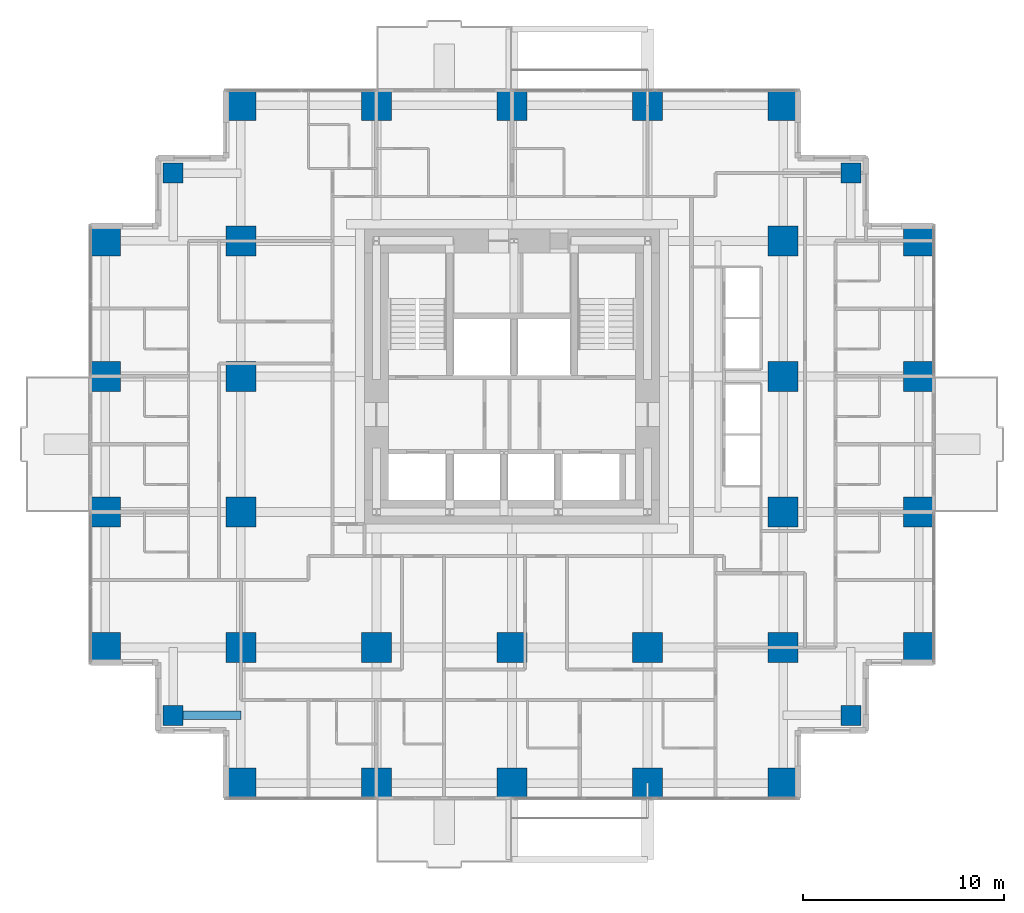
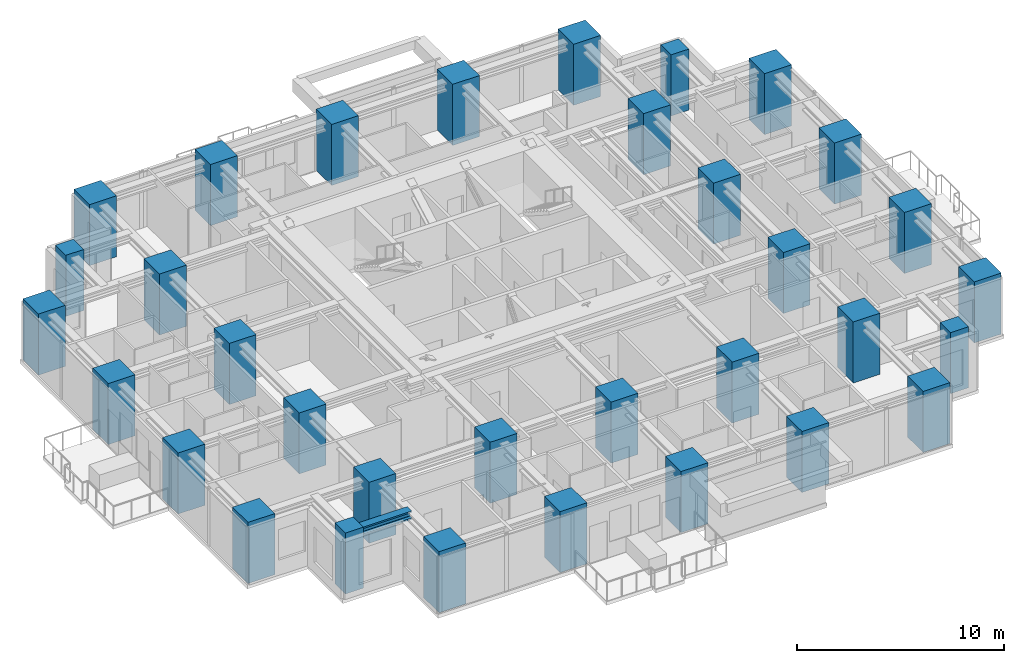
# One storey, part 1 of 13: 33 columns, 1 beam.
"""IFC4 building model written with IfcOpenShell, lengths in metres."""

import ifcopenshell
import ifcopenshell.guid

model = None  # the IFC model being written
_history = None  # IfcOwnerHistory: only IFC2X3 demands one
_inside = {}  # id of a spatial element -> (the spatial element, [elements in it])
_under = {}  # id of a project, library or spatial element -> (it, [spatial elements below it])
_declared = {}  # id of a project -> (the project, [libraries it declares])
_typed = {}  # id of a type object -> (the type object, [elements of that type])
_made_of = {}  # id of a material, layer set ... -> (it, [elements and type objects made of it])


def new_model(schema):
    """Start an empty IFC model of exactly this schema.

    Asked for "IFC4X3", IfcOpenShell would pick the latest addendum, in which some entities
    have other attributes; the version numbers below select the first issue.
    IFC2X3 requires an IfcOwnerHistory on every rooted entity: one is made here for all.
    """
    global model, _history
    if schema == "IFC4X3":
        model = ifcopenshell.file(schema_version=(4, 3, 0, 0))
    else:
        model = ifcopenshell.file(schema=schema)
    _inside.clear()
    _under.clear()
    _declared.clear()
    _typed.clear()
    _made_of.clear()
    _history = None
    if model.schema == "IFC2X3":
        org = make("IfcOrganization", Name="unknown")
        user = make(
            "IfcPersonAndOrganization",
            ThePerson=make("IfcPerson", FamilyName="unknown"),
            TheOrganization=org,
        )
        app = make(
            "IfcApplication",
            ApplicationDeveloper=org,
            Version="unknown",
            ApplicationFullName="unknown",
            ApplicationIdentifier="unknown",
        )
        _history = make(
            "IfcOwnerHistory",
            OwningUser=user,
            OwningApplication=app,
            ChangeAction="ADDED",
            CreationDate=0,
        )
    return model


def make(cls, **values):
    """One entity of the class cls with the attributes given. An attribute that is None is left unset."""
    return model.create_entity(
        cls, **{name: value for name, value in values.items() if value is not None}
    )


def rooted(cls, **values):
    """An entity with a GlobalId (a new one), such as an element, a storey or a relation."""
    return make(cls, GlobalId=ifcopenshell.guid.new(), OwnerHistory=_history, **values)


def si_unit(unit_type, name, prefix=None):
    """IfcSIUnit, for example si_unit("LENGTHUNIT", "METRE", prefix="MILLI")."""
    return make("IfcSIUnit", UnitType=unit_type, Prefix=prefix, Name=name)


def assignment(units):
    """IfcUnitAssignment: the units of a project."""
    return None if units is None else make("IfcUnitAssignment", Units=units)


def point(xyz):
    """IfcCartesianPoint."""
    return None if xyz is None else make("IfcCartesianPoint", Coordinates=xyz)


def direction(xyz):
    """IfcDirection."""
    return None if xyz is None else make("IfcDirection", DirectionRatios=xyz)


def frame(location, z_axis=None, x_axis=None):
    """IfcAxis2Placement3D, a coordinate frame: its origin and axes. An axis left out is left unset."""
    return make(
        "IfcAxis2Placement3D",
        Location=point(location),
        Axis=direction(z_axis),
        RefDirection=direction(x_axis),
    )


def frame_2d(location, x_axis=None):
    """IfcAxis2Placement2D, a coordinate frame in the plane: its origin and x axis."""
    return make(
        "IfcAxis2Placement2D", Location=point(location), RefDirection=direction(x_axis)
    )


def origin():
    """The frame at (0, 0, 0) with its axes left unset."""
    return frame((0.0, 0.0, 0.0))


def origin_2d():
    """The frame at (0, 0) in the plane with its x axis left unset."""
    return frame_2d((0.0, 0.0))


def place(relative_to, where):
    """IfcLocalPlacement: puts the frame where relative to a parent placement (None: the world)."""
    return make(
        "IfcLocalPlacement", PlacementRelTo=relative_to, RelativePlacement=where
    )


def context(
    kind, dimensions, precision=None, world=None, true_north=None, identifier=None
):
    """IfcGeometricRepresentationContext, for example the 3D "Model" context."""
    return make(
        "IfcGeometricRepresentationContext",
        ContextIdentifier=identifier,
        ContextType=kind,
        CoordinateSpaceDimension=dimensions,
        Precision=precision,
        WorldCoordinateSystem=world,
        TrueNorth=true_north,
    )


def subcontext(parent, identifier, kind, view, scale=None):
    """IfcGeometricRepresentationSubContext, for example "Body" below "Model"."""
    return make(
        "IfcGeometricRepresentationSubContext",
        ContextIdentifier=identifier,
        ContextType=kind,
        ParentContext=parent,
        TargetScale=scale,
        TargetView=view,
    )


def project(units=None, contexts=None):
    """IfcProject with its units and contexts."""
    return rooted(
        "IfcProject",
        Name="project",
        RepresentationContexts=contexts,
        UnitsInContext=assignment(units),
    )


def spatial(cls, under=None, at=None, **own):
    """A site, building, storey or space (cls), placed at a placement, below another one or the project."""
    s = rooted(cls, ObjectPlacement=at, **own)
    if under is not None:
        _under.setdefault(under.id(), (under, []))[1].append(s)
    return s


def profile(cls, at=None, kind="AREA", **sizes):
    """A parametric profile (cls). Its sizes go by their IFC names, for example OverallWidth=200.0."""
    return make(cls, ProfileType=kind, Position=at, **sizes)


def rectangle(**sizes):
    """IfcRectangleProfileDef."""
    return profile("IfcRectangleProfileDef", **sizes)


def i_section(**sizes):
    """IfcIShapeProfileDef."""
    return profile("IfcIShapeProfileDef", **sizes)


def extrude(swept, where, along, depth):
    """IfcExtrudedAreaSolid: the profile swept, set in the frame where, extruded along a direction by depth."""
    return make(
        "IfcExtrudedAreaSolid",
        SweptArea=swept,
        Position=where,
        ExtrudedDirection=direction(along),
        Depth=depth,
    )


def shape(context_of_items, identifier, shape_type, items):
    """IfcShapeRepresentation: the items that make up one representation, for example the "Body"."""
    return make(
        "IfcShapeRepresentation",
        ContextOfItems=context_of_items,
        RepresentationIdentifier=identifier,
        RepresentationType=shape_type,
        Items=items,
    )


def material(Name=None, Category=None):
    """IfcMaterial."""
    return make("IfcMaterial", Name=Name, Category=Category)


def material_profile(
    of_material, cross_section, Name=None, Category=None, Priority=None
):
    """IfcMaterialProfile: a cross section and its material."""
    return make(
        "IfcMaterialProfile",
        Name=Name,
        Material=of_material,
        Profile=cross_section,
        Priority=Priority,
        Category=Category,
    )


def profile_set(profiles, Name=None, composite=None):
    """IfcMaterialProfileSet."""
    return make(
        "IfcMaterialProfileSet",
        Name=Name,
        MaterialProfiles=profiles,
        CompositeProfile=composite,
    )


def made_of(thing, what):
    """Note that an element or type object is made of a material, layer set ...; save() writes the relation."""
    if what is not None:
        _made_of.setdefault(what.id(), (what, []))[1].append(thing)
    return thing


def type_object(cls, material=None, **own):
    """A type object (cls), such as IfcWallType, which elements share."""
    return made_of(rooted(cls, **own), material)


def element(
    cls,
    number,
    at=None,
    inside=None,
    cuts=None,
    type_object=None,
    material=None,
    context=None,
    identifier="Body",
    shape_type=None,
    held_by="IfcProductDefinitionShape",
    body=None,
    shapes=None,
    **own,
):
    """One element of the class cls, such as IfcWall. Its Tag is "e" and its number.

    at: its placement. inside: the storey or other place that contains it. cuts: it is an
    opening in that element (IfcRelVoidsElement). A single representation is given by context,
    identifier, shape_type and body (its items); several are given by shapes. held_by: the class
    of the entity that holds the representations. save() writes the other relations.
    """
    e = rooted(cls, Tag="e%d" % number, ObjectPlacement=at, **own)
    if body is not None:
        shapes = [shape(context, identifier, shape_type, body)]
    if shapes is not None:
        e.Representation = make(held_by, Representations=shapes)
    if inside is not None:
        _inside.setdefault(inside.id(), (inside, []))[1].append(e)
    if cuts is not None:
        rooted(
            "IfcRelVoidsElement", RelatingBuildingElement=cuts, RelatedOpeningElement=e
        )
    if type_object is not None:
        _typed.setdefault(type_object.id(), (type_object, []))[1].append(e)
    return made_of(e, material)


def aggregate(whole, parts):
    """IfcRelAggregates: a whole, such as a stair, and the parts it consists of."""
    return rooted("IfcRelAggregates", RelatingObject=whole, RelatedObjects=parts)


def save(model, path):
    """Write the relations noted so far, then the file.

    IfcRelAggregates (storeys below a building ...), IfcRelContainedInSpatialStructure (elements
    in a storey), IfcRelDefinesByType, IfcRelAssociatesMaterial and IfcRelDeclares: one each for
    every whole, place, type object, material and project.
    """
    for whole, parts in _under.values():
        aggregate(whole, parts)
    for where, things in _inside.values():
        rooted(
            "IfcRelContainedInSpatialStructure",
            RelatedElements=things,
            RelatingStructure=where,
        )
    for kind, things in _typed.values():
        rooted("IfcRelDefinesByType", RelatedObjects=things, RelatingType=kind)
    for what, things in _made_of.values():
        rooted("IfcRelAssociatesMaterial", RelatedObjects=things, RelatingMaterial=what)
    for by, libraries in _declared.values():
        rooted("IfcRelDeclares", RelatingContext=by, RelatedDefinitions=libraries)
    model.write(path)


model = new_model("IFC4")

# Units and contexts
model_context = context("Model", 3, precision=1e-05, world=origin(), true_north=direction((0.0, 1.0)))
body_context = subcontext(model_context, "Body", "Model", "MODEL_VIEW")
ifc_project = project(units=[si_unit("LENGTHUNIT", "METRE"), si_unit("AREAUNIT", "SQUARE_METRE"), si_unit("VOLUMEUNIT", "CUBIC_METRE"), si_unit("PLANEANGLEUNIT", "RADIAN"), si_unit("MASSUNIT", "GRAM", prefix="KILO")], contexts=[model_context])

# Site, building, storey
site_placement = place(None, origin())
site = spatial("IfcSite", under=ifc_project, at=site_placement, CompositionType="ELEMENT")
building_placement = place(site_placement, origin())
building = spatial("IfcBuilding", under=site, at=building_placement, Name="Nyansa Garden Tower", CompositionType="ELEMENT")
storey_placement = place(building_placement, frame((0.0, 0.0, 130.5)))
storey = spatial("IfcBuildingStorey", under=building, at=storey_placement, Name="L35", CompositionType="ELEMENT", Elevation=130.5)

# Columns
ifc_material_1 = material(Name="Concrete C70/85", Category="concrete")
ifc_material_profile_1 = material_profile(ifc_material_1, rectangle(XDim=1.0, YDim=1.0, at=origin_2d()), Name="RC 1000x1000")
ifc_profile_set_1 = profile_set([ifc_material_profile_1], Name="Concrete C70/85")
column_type_1 = type_object("IfcColumnType", Name="Column C100 RC 1000x1000", PredefinedType="COLUMN", material=ifc_profile_set_1)
for number, where, z_axis, x_axis, name in (
    (1, (3.375, 3.375, 0.0), (0.0, 0.0, 1.0), (1.0, 0.0, 0.0), "Column x3.375/y3.375 L35"),
    (2, (3.375, 30.375, 0.0), (0.0, 0.0, 1.0), (1.0, 0.0, 0.0), "Column x3.375/y30.375 L35"),
    (3, (37.125, 3.375, 0.0), (0.0, 0.0, 1.0), (1.0, 0.0, 0.0), "Column x37.125/y3.375 L35"),
    (4, (37.125, 30.375, 0.0), (0.0, 0.0, 1.0), (1.0, 0.0, 0.0), "Column x37.125/y30.375 L35"),
):
    element("IfcColumn", number, at=place(storey_placement, frame(where, z_axis=z_axis, x_axis=x_axis)), inside=storey, type_object=column_type_1, Name=name, PredefinedType="COLUMN", context=body_context, shape_type="SweptSolid", body=[
        extrude(rectangle(XDim=1.0, YDim=1.0, at=origin_2d()), origin(), (0.0, 0.0, 1.0), 3.60009765625),
    ])
ifc_material_2 = material(Name="Concrete C80/95", Category="concrete")
ifc_material_profile_2 = material_profile(ifc_material_2, rectangle(XDim=1.5, YDim=1.5, at=origin_2d()), Name="RC 1500x1500")
ifc_profile_set_2 = profile_set([ifc_material_profile_2], Name="Concrete C80/95")
column_type_2 = type_object("IfcColumnType", Name="Column C150 RC 1500x1500", PredefinedType="COLUMN", material=ifc_profile_set_2)
for number, where, z_axis, x_axis, name in (
    (5, (0.0, 6.75, 0.0), (0.0, 0.0, 1.0), (1.0, 0.0, 0.0), "Column 2/E L35"),
    (6, (0.0, 13.5, 0.0), (0.0, 0.0, 1.0), (1.0, 0.0, 0.0), "Column 2/F L35"),
    (7, (0.0, 20.25, 0.0), (0.0, 0.0, 1.0), (1.0, 0.0, 0.0), "Column 2/G L35"),
    (8, (0.0, 27.0, 0.0), (0.0, 0.0, 1.0), (1.0, 0.0, 0.0), "Column 2/H L35"),
    (9, (6.75, 0.0, 0.0), (0.0, 0.0, 1.0), (1.0, 0.0, 0.0), "Column 3/D L35"),
    (10, (6.75, 6.75, 0.0), (0.0, 0.0, 1.0), (1.0, 0.0, 0.0), "Column 3/E L35"),
    (11, (6.75, 13.5, 0.0), (0.0, 0.0, 1.0), (1.0, 0.0, 0.0), "Column 3/F L35"),
    (12, (6.75, 20.25, 0.0), (0.0, 0.0, 1.0), (1.0, 0.0, 0.0), "Column 3/G L35"),
    (13, (6.75, 27.0, 0.0), (0.0, 0.0, 1.0), (1.0, 0.0, 0.0), "Column 3/H L35"),
    (14, (6.75, 33.75, 0.0), (0.0, 0.0, 1.0), (1.0, 0.0, 0.0), "Column 3/J L35"),
    (15, (13.5, 0.0, 0.0), (0.0, 0.0, 1.0), (1.0, 0.0, 0.0), "Column 4/D L35"),
    (16, (13.5, 6.75, 0.0), (0.0, 0.0, 1.0), (1.0, 0.0, 0.0), "Column 4/E L35"),
    (17, (13.5, 33.75, 0.0), (0.0, 0.0, 1.0), (1.0, 0.0, 0.0), "Column 4/J L35"),
    (18, (20.25, 0.0, 0.0), (0.0, 0.0, 1.0), (1.0, 0.0, 0.0), "Column 5/D L35"),
    (19, (20.25, 6.75, 0.0), (0.0, 0.0, 1.0), (1.0, 0.0, 0.0), "Column 5/E L35"),
    (20, (20.25, 33.75, 0.0), (0.0, 0.0, 1.0), (1.0, 0.0, 0.0), "Column 5/J L35"),
    (21, (27.0, 0.0, 0.0), (0.0, 0.0, 1.0), (1.0, 0.0, 0.0), "Column 6/D L35"),
    (22, (27.0, 6.75, 0.0), (0.0, 0.0, 1.0), (1.0, 0.0, 0.0), "Column 6/E L35"),
    (23, (27.0, 33.75, 0.0), (0.0, 0.0, 1.0), (1.0, 0.0, 0.0), "Column 6/J L35"),
    (24, (33.75, 0.0, 0.0), (0.0, 0.0, 1.0), (1.0, 0.0, 0.0), "Column 7/D L35"),
    (25, (33.75, 6.75, 0.0), (0.0, 0.0, 1.0), (1.0, 0.0, 0.0), "Column 7/E L35"),
    (26, (33.75, 13.5, 0.0), (0.0, 0.0, 1.0), (1.0, 0.0, 0.0), "Column 7/F L35"),
    (27, (33.75, 20.25, 0.0), (0.0, 0.0, 1.0), (1.0, 0.0, 0.0), "Column 7/G L35"),
    (28, (33.75, 27.0, 0.0), (0.0, 0.0, 1.0), (1.0, 0.0, 0.0), "Column 7/H L35"),
    (29, (33.75, 33.75, 0.0), (0.0, 0.0, 1.0), (1.0, 0.0, 0.0), "Column 7/J L35"),
    (30, (40.5, 6.75, 0.0), (0.0, 0.0, 1.0), (1.0, 0.0, 0.0), "Column 8/E L35"),
    (31, (40.5, 13.5, 0.0), (0.0, 0.0, 1.0), (1.0, 0.0, 0.0), "Column 8/F L35"),
    (32, (40.5, 20.25, 0.0), (0.0, 0.0, 1.0), (1.0, 0.0, 0.0), "Column 8/G L35"),
    (33, (40.5, 27.0, 0.0), (0.0, 0.0, 1.0), (1.0, 0.0, 0.0), "Column 8/H L35"),
):
    element("IfcColumn", number, at=place(storey_placement, frame(where, z_axis=z_axis, x_axis=x_axis)), inside=storey, type_object=column_type_2, Name=name, PredefinedType="COLUMN", context=body_context, shape_type="SweptSolid", body=[
        extrude(rectangle(XDim=1.5, YDim=1.5, at=origin_2d()), origin(), (0.0, 0.0, 1.0), 3.60009765625),
    ])

# Beam
ifc_material_3 = material(Name="Steel S355", Category="steel")
ifc_material_profile_3 = material_profile(ifc_material_3, i_section(OverallWidth=0.431884765625, OverallDepth=0.498046875, WebThickness=0.0556640625, FlangeThickness=0.0888671875, FilletRadius=0.014892578125, at=origin_2d()), Name="HD 400x744")
ifc_profile_set_3 = profile_set([ifc_material_profile_3], Name="Steel S355")
beam_type = type_object("IfcBeamType", Name="Steel beam SSB1-744 HD 400x744", PredefinedType="BEAM", material=ifc_profile_set_3)
beam_placement = place(storey_placement, frame((3.375, 3.375, 3.1259765625), z_axis=(1.0, 0.0, 0.0), x_axis=(0.0, 1.0, 0.0)))
element("IfcBeam", 34, at=beam_placement, inside=storey, type_object=beam_type, Name="Steel step beam 3.375/3.375 L36", PredefinedType="BEAM", context=body_context, shape_type="SweptSolid", body=[
    extrude(i_section(OverallWidth=0.431884765625, OverallDepth=0.498046875, WebThickness=0.0556640625, FlangeThickness=0.0888671875, FilletRadius=0.014892578125, at=origin_2d()), origin(), (0.0, 0.0, 1.0), 3.375),
])

save(model, "model.ifc")
